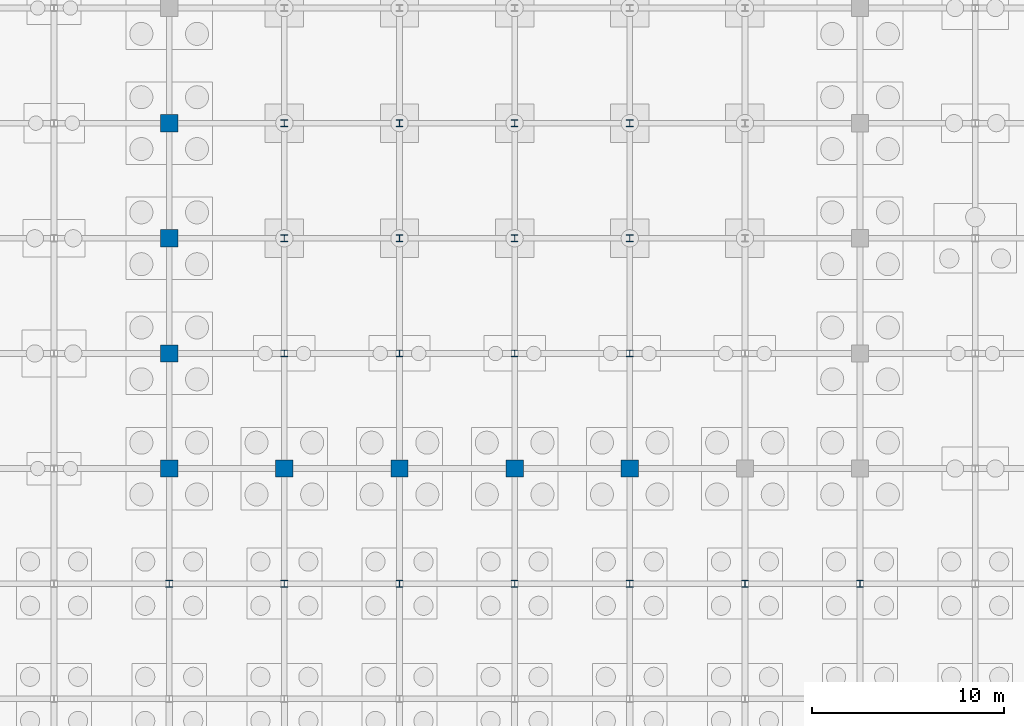
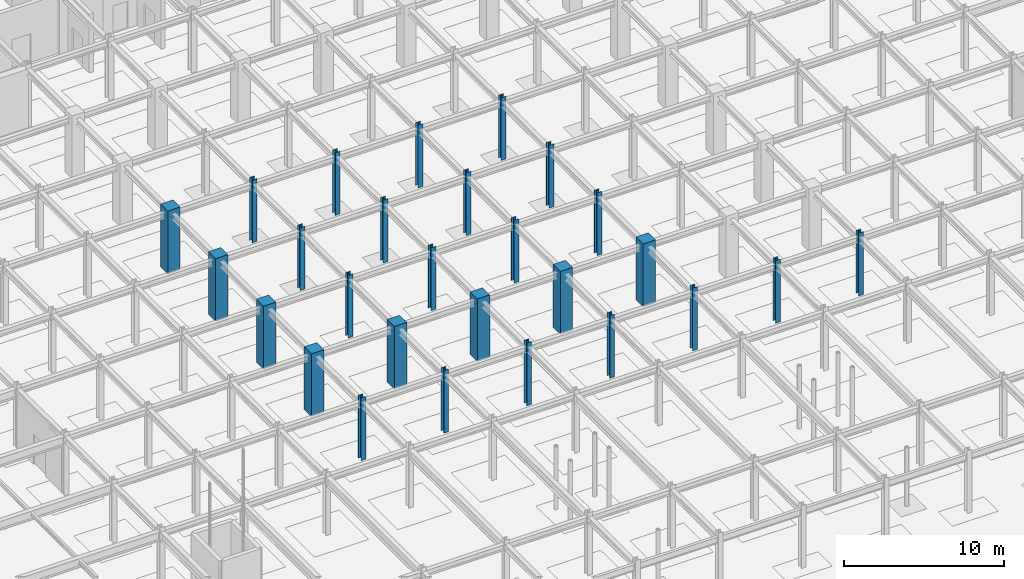
# One storey, part 19 of 69: 27 columns.
"""IFC4 building model written with IfcOpenShell, lengths in metres."""

from ifc_helpers import new_model, si_unit, direction, frame, origin, origin_2d, place, context, subcontext, project, spatial, rectangle, i_section, extrude, material, material_profile, profile_set, type_object, element, save


model = new_model("IFC4")

# Units and contexts
model_context = context("Model", 3, precision=1e-05, world=origin(), true_north=direction((0.0, 1.0)))
body_context = subcontext(model_context, "Body", "Model", "MODEL_VIEW")
ifc_project = project(units=[si_unit("LENGTHUNIT", "METRE"), si_unit("AREAUNIT", "SQUARE_METRE"), si_unit("VOLUMEUNIT", "CUBIC_METRE"), si_unit("PLANEANGLEUNIT", "RADIAN"), si_unit("MASSUNIT", "GRAM", prefix="KILO")], contexts=[model_context])

# Site, building, storey
site_placement = place(None, origin())
site = spatial("IfcSite", under=ifc_project, at=site_placement, CompositionType="ELEMENT")
building_placement = place(site_placement, origin())
building = spatial("IfcBuilding", under=site, at=building_placement, Name="Zlatovratsky Civic Hall", CompositionType="ELEMENT")
storey_placement = place(building_placement, frame((0.0, 0.0, -4.800048828125)))
storey = spatial("IfcBuildingStorey", under=building, at=storey_placement, Name="B1", CompositionType="ELEMENT", Elevation=-4.800048828125)

# Columns
ifc_material_1 = material(Name="Concrete C35/45 (B40)", Category="concrete")
ifc_material_profile_1 = material_profile(ifc_material_1, rectangle(XDim=0.89990234375, YDim=0.89990234375, at=origin_2d()), Name="RC 900x900")
ifc_profile_set_1 = profile_set([ifc_material_profile_1], Name="Concrete C35/45 (B40)")
column_type_1 = type_object("IfcColumnType", Name="Col_ChamberPier_RC900", PredefinedType="COLUMN", material=ifc_profile_set_1)
for number, where, z_axis, x_axis, name in (
    (1, (66.0, 42.0, 0.0), (0.0, 0.0, 1.0), (1.0, 0.0, 0.0), "CL-0126"),
    (2, (72.0, 42.0, 0.0), (0.0, 0.0, 1.0), (1.0, 0.0, 0.0), "CL-0127"),
    (3, (78.0, 42.0, 0.0), (0.0, 0.0, 1.0), (1.0, 0.0, 0.0), "CL-0128"),
    (4, (84.0, 42.0, 0.0), (0.0, 0.0, 1.0), (1.0, 0.0, 0.0), "CL-0129"),
    (5, (90.0, 42.0, 0.0), (0.0, 0.0, 1.0), (1.0, 0.0, 0.0), "CL-0130"),
    (6, (66.0, 48.0, 0.0), (0.0, 0.0, 1.0), (1.0, 0.0, 0.0), "CL-0149"),
    (7, (66.0, 54.0, 0.0), (0.0, 0.0, 1.0), (1.0, 0.0, 0.0), "CL-0172"),
    (8, (66.0, 60.0, 0.0), (0.0, 0.0, 1.0), (1.0, 0.0, 0.0), "CL-0195"),
):
    element("IfcColumn", number, at=place(storey_placement, frame(where, z_axis=z_axis, x_axis=x_axis)), inside=storey, type_object=column_type_1, Name=name, PredefinedType="COLUMN", context=body_context, shape_type="SweptSolid", body=[
        extrude(rectangle(XDim=0.89990234375, YDim=0.89990234375, at=origin_2d()), origin(), (0.0, 0.0, 1.0), 4.800048828125),
    ])
ifc_material_2 = material(Name="Steel S355", Category="steel")
ifc_material_profile_2 = material_profile(ifc_material_2, i_section(OverallWidth=0.35009765625, OverallDepth=0.35009765625, WebThickness=0.011962890625, FlangeThickness=0.01904296875, FilletRadius=0.02001953125, at=origin_2d()), Name="35K2")
ifc_profile_set_2 = profile_set([ifc_material_profile_2], Name="Steel S355")
column_type_2 = type_object("IfcColumnType", Name="Col_Steel_35K2", PredefinedType="COLUMN", material=ifc_profile_set_2)
for number, where, z_axis, x_axis, name in (
    (9, (66.0, 36.0, 0.0), (0.0, 0.0, 1.0), (1.0, 0.0, 0.0), "CL-0103"),
    (10, (72.0, 36.0, 0.0), (0.0, 0.0, 1.0), (1.0, 0.0, 0.0), "CL-0104"),
    (11, (78.0, 36.0, 0.0), (0.0, 0.0, 1.0), (1.0, 0.0, 0.0), "CL-0105"),
    (12, (84.0, 36.0, 0.0), (0.0, 0.0, 1.0), (1.0, 0.0, 0.0), "CL-0106"),
    (13, (90.0, 36.0, 0.0), (0.0, 0.0, 1.0), (1.0, 0.0, 0.0), "CL-0107"),
    (14, (96.0, 36.0, 0.0), (0.0, 0.0, 1.0), (1.0, 0.0, 0.0), "CL-0108"),
    (15, (102.0, 36.0, 0.0), (0.0, 0.0, 1.0), (1.0, 0.0, 0.0), "CL-0109"),
    (16, (72.0, 48.0, 0.0), (0.0, 0.0, 1.0), (1.0, 0.0, 0.0), "CL-0150"),
    (17, (78.0, 48.0, 0.0), (0.0, 0.0, 1.0), (1.0, 0.0, 0.0), "CL-0151"),
    (18, (84.0, 48.0, 0.0), (0.0, 0.0, 1.0), (1.0, 0.0, 0.0), "CL-0152"),
    (19, (90.0, 48.0, 0.0), (0.0, 0.0, 1.0), (1.0, 0.0, 0.0), "CL-0153"),
    (20, (72.0, 54.0, 0.0), (0.0, 0.0, 1.0), (1.0, 0.0, 0.0), "CL-0173"),
    (21, (78.0, 54.0, 0.0), (0.0, 0.0, 1.0), (1.0, 0.0, 0.0), "CL-0174"),
    (22, (84.0, 54.0, 0.0), (0.0, 0.0, 1.0), (1.0, 0.0, 0.0), "CL-0175"),
    (23, (90.0, 54.0, 0.0), (0.0, 0.0, 1.0), (1.0, 0.0, 0.0), "CL-0176"),
    (24, (72.0, 60.0, 0.0), (0.0, 0.0, 1.0), (1.0, 0.0, 0.0), "CL-0196"),
    (25, (78.0, 60.0, 0.0), (0.0, 0.0, 1.0), (1.0, 0.0, 0.0), "CL-0197"),
    (26, (84.0, 60.0, 0.0), (0.0, 0.0, 1.0), (1.0, 0.0, 0.0), "CL-0198"),
    (27, (90.0, 60.0, 0.0), (0.0, 0.0, 1.0), (1.0, 0.0, 0.0), "CL-0199"),
):
    element("IfcColumn", number, at=place(storey_placement, frame(where, z_axis=z_axis, x_axis=x_axis)), inside=storey, type_object=column_type_2, Name=name, PredefinedType="COLUMN", context=body_context, shape_type="SweptSolid", body=[
        extrude(i_section(OverallWidth=0.35009765625, OverallDepth=0.35009765625, WebThickness=0.011962890625, FlangeThickness=0.01904296875, FilletRadius=0.02001953125, at=origin_2d()), origin(), (0.0, 0.0, 1.0), 4.800048828125),
    ])

save(model, "model.ifc")
